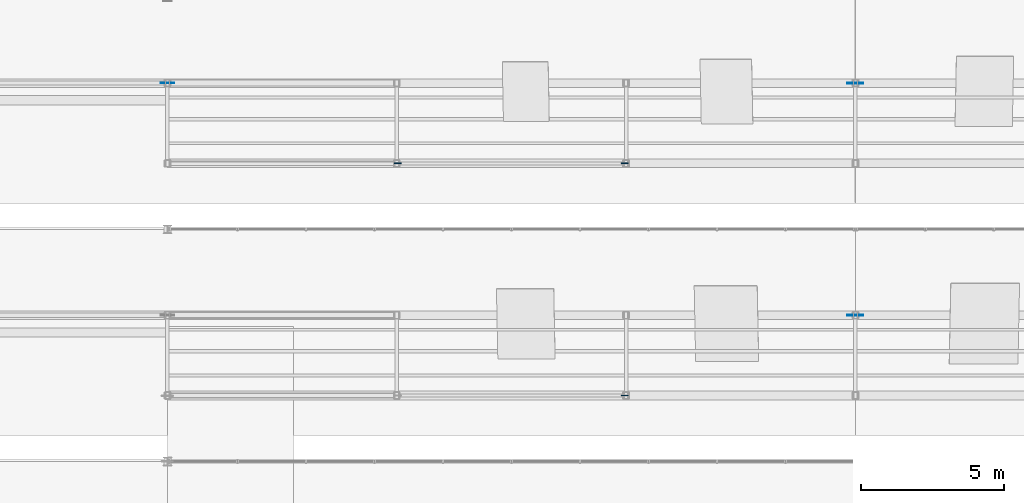
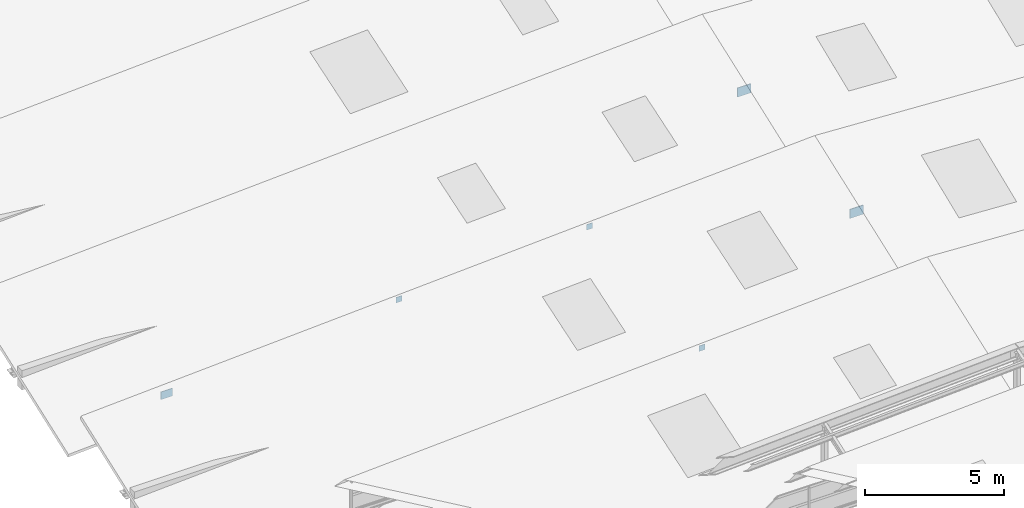
# One storey, part 133 of 141: 6 plates.
"""IFC4 building model written with IfcOpenShell, lengths in metres."""

from ifc_helpers import new_model, si_unit, direction, frame, origin, origin_2d, place, context, subcontext, project, spatial, rectangle, extrude, material, layer, layer_set, type_object, element, save


model = new_model("IFC4")

# Units and contexts
model_context = context("Model", 3, precision=1e-05, world=origin(), true_north=direction((0.0, 1.0)))
body_context = subcontext(model_context, "Body", "Model", "MODEL_VIEW")
ifc_project = project(units=[si_unit("LENGTHUNIT", "METRE"), si_unit("AREAUNIT", "SQUARE_METRE"), si_unit("VOLUMEUNIT", "CUBIC_METRE"), si_unit("PLANEANGLEUNIT", "RADIAN"), si_unit("MASSUNIT", "GRAM", prefix="KILO")], contexts=[model_context])

# Site, building, storey
site_placement = place(None, origin())
site = spatial("IfcSite", under=ifc_project, at=site_placement, CompositionType="ELEMENT")
building_placement = place(site_placement, origin())
building = spatial("IfcBuilding", under=site, at=building_placement, Name="Sundkrona Museum", CompositionType="ELEMENT")
storey_placement = place(building_placement, frame((0.0, 0.0, 34.0)))
storey = spatial("IfcBuildingStorey", under=building, at=storey_placement, Name="RF", CompositionType="ELEMENT", Elevation=34.0)

# Plates
ifc_material = material(Name="Steel S355J2", Category="steel")
ifc_layer_1 = layer(ifc_material, 0.030029296875)
ifc_layer_set_1 = layer_set([ifc_layer_1], Name="Steel S355J2")
plate_type_1 = type_object("IfcPlateType", Name="GP-3", PredefinedType="USERDEFINED", material=ifc_layer_set_1)
for number, where, z_axis, x_axis, name in (
    (1, (144.0, 15.39990234375, 4.06591796875), (0.0, 0.0, 1.0), (1.0, 0.0, 0.0), "Sawtooth Truss 3 Ridge Gusset"),
    (2, (144.0, 23.5, 4.48583984375), (0.0, 0.0, 1.0), (1.0, 0.0, 0.0), "Sawtooth Truss 4 Ridge Gusset"),
):
    element("IfcPlate", number, at=place(storey_placement, frame(where, z_axis=z_axis, x_axis=x_axis)), inside=storey, type_object=plate_type_1, Name=name, ObjectType="GUSSET PLATE", PredefinedType="USERDEFINED", context=body_context, shape_type="SweptSolid", body=[
        extrude(rectangle(XDim=0.56005859375, YDim=0.030029296875, at=origin_2d()), origin(), (0.0, 0.0, 1.0), 0.39990234375),
    ])
ifc_layer_2 = layer(ifc_material, 0.02490234375)
ifc_layer_set_2 = layer_set([ifc_layer_2], Name="Steel S355J2")
plate_type_2 = type_object("IfcPlateType", Name="GP-4", PredefinedType="USERDEFINED", material=ifc_layer_set_2)
plate_placement = place(storey_placement, frame((120.0, 23.5, -0.419921875), z_axis=(0.0, 0.0, 1.0), x_axis=(1.0, 0.0, 0.0)))
element("IfcPlate", 3, at=plate_placement, inside=storey, type_object=plate_type_2, Name="Sawtooth Truss 4 West Bearing Gusset", ObjectType="GUSSET PLATE", PredefinedType="USERDEFINED", context=body_context, shape_type="SweptSolid", body=[
    extrude(rectangle(XDim=0.47998046875, YDim=0.02490234375, at=origin_2d()), origin(), (0.0, 0.0, 1.0), 0.340087890625),
])
ifc_layer_3 = layer(ifc_material, 0.02490234375)
ifc_layer_set_3 = layer_set([ifc_layer_3], Name="Steel S355J2")
plate_type_3 = type_object("IfcPlateType", Name="GP-6", PredefinedType="USERDEFINED", material=ifc_layer_set_3)
for number, where, z_axis, x_axis, name in (
    (4, (135.9599609375, 12.60009765625, 2.68017578125), (0.0, 0.0, 1.0), (1.0, 0.0, 0.0), "Hollow Section Seal Cap Plate PR-SAW-RHS-03-2"),
    (5, (128.0400390625, 20.699951171875, 2.671875), (0.0, 0.0, 1.0), (1.0, 0.0, 0.0), "Hollow Section Seal Cap Plate PR-SAW-RHS-04-1"),
    (6, (135.9599609375, 20.699951171875, 3.10009765625), (0.0, 0.0, 1.0), (1.0, 0.0, 0.0), "Hollow Section Seal Cap Plate PR-SAW-RHS-04-2"),
):
    element("IfcPlate", number, at=place(storey_placement, frame(where, z_axis=z_axis, x_axis=x_axis)), inside=storey, type_object=plate_type_3, Name=name, ObjectType="GUSSET PLATE", PredefinedType="USERDEFINED", context=body_context, shape_type="SweptSolid", body=[
        extrude(rectangle(XDim=0.239990234375, YDim=0.02490234375, at=origin_2d()), origin(), (0.0, 0.0, 1.0), 0.239990234375),
    ])

save(model, "model.ifc")
